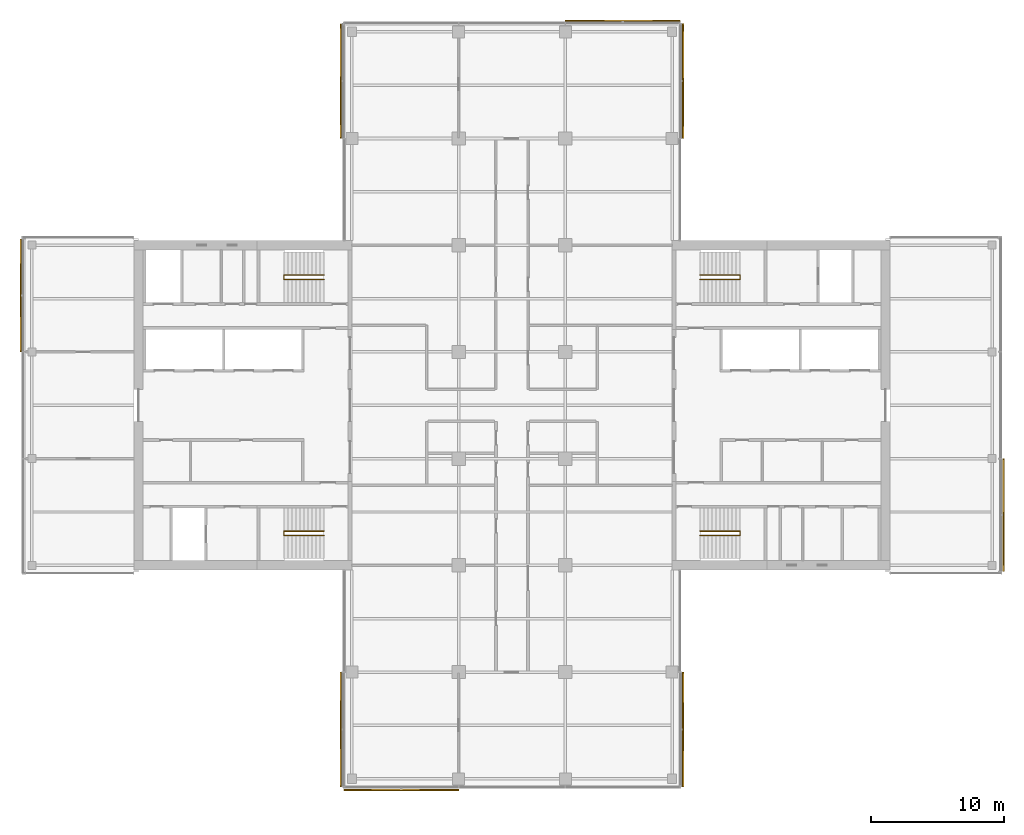
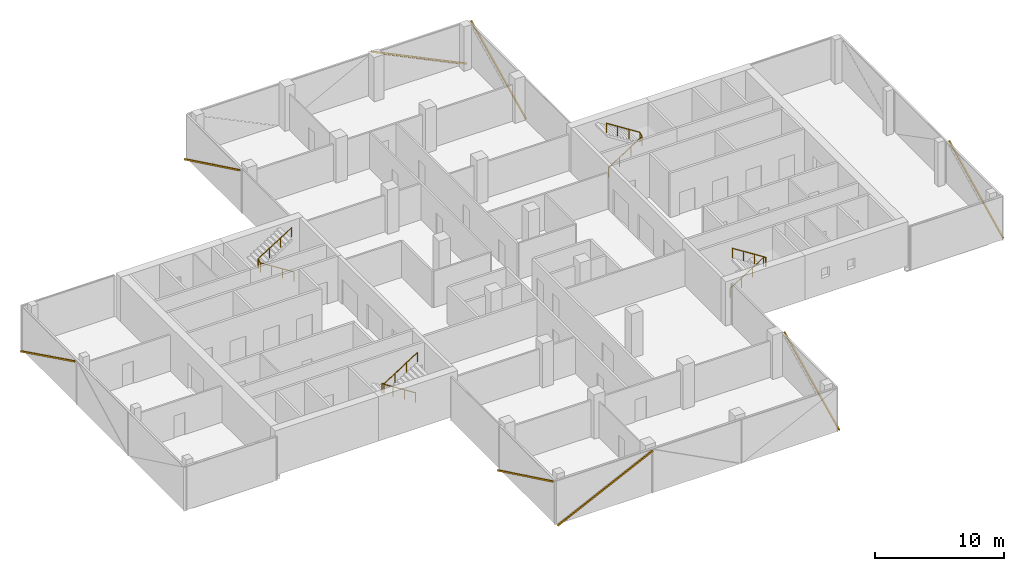
# One storey, part 22 of 22: 8 shading devices, 4 railings, 8 elements without a shape of their own.
"""IFC4 building model written with IfcOpenShell, lengths in metres."""

from ifc_helpers import new_model, si_unit, direction, frame, origin, origin_2d, place, context, subcontext, project, spatial, rectangle, circle, extrude, material, material_profile, profile_set, type_object, element, aggregate, save


model = new_model("IFC4")

# Units and contexts
model_context = context("Model", 3, precision=1e-05, world=origin(), true_north=direction((0.0, 1.0)))
body_context = subcontext(model_context, "Body", "Model", "MODEL_VIEW")
ifc_project = project(units=[si_unit("LENGTHUNIT", "METRE"), si_unit("AREAUNIT", "SQUARE_METRE"), si_unit("VOLUMEUNIT", "CUBIC_METRE"), si_unit("PLANEANGLEUNIT", "RADIAN"), si_unit("MASSUNIT", "GRAM", prefix="KILO")], contexts=[model_context])

# Site, building, storey
site_placement = place(None, origin())
site = spatial("IfcSite", under=ifc_project, at=site_placement, CompositionType="ELEMENT")
building_placement = place(site_placement, origin())
building = spatial("IfcBuilding", under=site, at=building_placement, Name="Crosswind Convention Tower", CompositionType="ELEMENT")
storey_placement = place(building_placement, frame((0.0, 0.0, 154.699951171875)))
storey = spatial("IfcBuildingStorey", under=building, at=storey_placement, Name="L32", CompositionType="ELEMENT", Elevation=154.699951171875)

# Railings
ifc_material_1 = material(Name="Stainless steel", Category="steel")
railing_type = type_object("IfcRailingType", Name="Stair handrail 900", PredefinedType="HANDRAIL", material=ifc_material_1)
railing_1_placement = place(storey_placement, frame((139.10009765625, 109.43994140625, 0.19091796875)))
element("IfcRailing", 1, at=railing_1_placement, inside=storey, type_object=railing_type, Name="Stair ST1 handrail L32", PredefinedType="HANDRAIL", context=body_context, shape_type="SweptSolid", body=[
    extrude(circle(Radius=0.02392578125, at=origin_2d()), frame((0.0, 0.0, 0.8759765625), z_axis=(0.843650179428, 0.0, 0.536893261973), x_axis=(0.0, 1.0, 0.0)), (0.0, 0.0, 1.0), 3.555908203125),
    extrude(circle(Radius=0.02392578125, at=origin_2d()), frame((3.0, 0.0, 2.78515625), z_axis=(0.0, 0.858819504967, 0.512278301208), x_axis=(-1.0, 0.0, 0.0)), (0.0, 0.0, 1.0), 0.372802734375),
    extrude(circle(Radius=0.02392578125, at=origin_2d()), frame((3.0, 0.320068359375, 2.97607421875), z_axis=(-0.843681277094, 0.0, 0.536844393359), x_axis=(0.0, -1.0, 0.0)), (0.0, 0.0, 1.0), 3.555908203125),
    extrude(circle(Radius=0.02099609375, at=origin_2d()), origin(), (0.0, 0.0, 1.0), 0.851806640625),
    extrude(circle(Radius=0.02099609375, at=origin_2d()), frame((1.0, 0.0, 0.636474609375)), (0.0, 0.0, 1.0), 0.851806640625),
    extrude(circle(Radius=0.02099609375, at=origin_2d()), frame((2.0, 0.0, 1.272705078125)), (0.0, 0.0, 1.0), 0.851806640625),
    extrude(circle(Radius=0.02099609375, at=origin_2d()), frame((3.0, 0.0, 1.9091796875)), (0.0, 0.0, 1.0), 0.851806640625),
    extrude(circle(Radius=0.02099609375, at=origin_2d()), frame((3.0, 0.320068359375, 2.10009765625)), (0.0, 0.0, 1.0), 0.851806640625),
    extrude(circle(Radius=0.02099609375, at=origin_2d()), frame((2.0, 0.320068359375, 2.736328125)), (0.0, 0.0, 1.0), 0.851806640625),
    extrude(circle(Radius=0.02099609375, at=origin_2d()), frame((1.0, 0.320068359375, 3.372802734375)), (0.0, 0.0, 1.0), 0.851806640625),
    extrude(circle(Radius=0.02099609375, at=origin_2d()), frame((0.0, 0.320068359375, 4.009033203125)), (0.0, 0.0, 1.0), 0.851806640625),
])
railing_2_placement = place(storey_placement, frame((139.10009765625, 90.56005859375, 0.19091796875)))
element("IfcRailing", 2, at=railing_2_placement, inside=storey, type_object=railing_type, Name="Stair ST2 handrail L32", PredefinedType="HANDRAIL", context=body_context, shape_type="SweptSolid", body=[
    extrude(circle(Radius=0.02392578125, at=origin_2d()), frame((0.0, 0.0, 0.8759765625), z_axis=(0.843650179428, 0.0, 0.536893261973), x_axis=(0.0, 1.0, 0.0)), (0.0, 0.0, 1.0), 3.555908203125),
    extrude(circle(Radius=0.02392578125, at=origin_2d()), frame((3.0, 0.0, 2.78515625), z_axis=(0.0, -0.858819504967, 0.512278301208), x_axis=(1.0, 0.0, 0.0)), (0.0, 0.0, 1.0), 0.372802734375),
    extrude(circle(Radius=0.02392578125, at=origin_2d()), frame((3.0, -0.320068359375, 2.97607421875), z_axis=(-0.843681277094, 0.0, 0.536844393359), x_axis=(0.0, -1.0, 0.0)), (0.0, 0.0, 1.0), 3.555908203125),
    extrude(circle(Radius=0.02099609375, at=origin_2d()), origin(), (0.0, 0.0, 1.0), 0.851806640625),
    extrude(circle(Radius=0.02099609375, at=origin_2d()), frame((1.0, 0.0, 0.636474609375)), (0.0, 0.0, 1.0), 0.851806640625),
    extrude(circle(Radius=0.02099609375, at=origin_2d()), frame((2.0, 0.0, 1.272705078125)), (0.0, 0.0, 1.0), 0.851806640625),
    extrude(circle(Radius=0.02099609375, at=origin_2d()), frame((3.0, 0.0, 1.9091796875)), (0.0, 0.0, 1.0), 0.851806640625),
    extrude(circle(Radius=0.02099609375, at=origin_2d()), frame((3.0, -0.320068359375, 2.10009765625)), (0.0, 0.0, 1.0), 0.851806640625),
    extrude(circle(Radius=0.02099609375, at=origin_2d()), frame((2.0, -0.320068359375, 2.736328125)), (0.0, 0.0, 1.0), 0.851806640625),
    extrude(circle(Radius=0.02099609375, at=origin_2d()), frame((1.0, -0.320068359375, 3.372802734375)), (0.0, 0.0, 1.0), 0.851806640625),
    extrude(circle(Radius=0.02099609375, at=origin_2d()), frame((0.0, -0.320068359375, 4.009033203125)), (0.0, 0.0, 1.0), 0.851806640625),
])
railing_3_placement = place(storey_placement, frame((110.89990234375, 90.56005859375, 0.19091796875)))
element("IfcRailing", 3, at=railing_3_placement, inside=storey, type_object=railing_type, Name="Stair ST3 handrail L32", PredefinedType="HANDRAIL", context=body_context, shape_type="SweptSolid", body=[
    extrude(circle(Radius=0.02392578125, at=origin_2d()), frame((0.0, 0.0, 0.8759765625), z_axis=(-0.843650179428, 0.0, 0.536893261973), x_axis=(0.0, -1.0, 0.0)), (0.0, 0.0, 1.0), 3.555908203125),
    extrude(circle(Radius=0.02392578125, at=origin_2d()), frame((-3.0, 0.0, 2.78515625), z_axis=(0.0, -0.858819504967, 0.512278301208), x_axis=(1.0, 0.0, 0.0)), (0.0, 0.0, 1.0), 0.372802734375),
    extrude(circle(Radius=0.02392578125, at=origin_2d()), frame((-3.0, -0.320068359375, 2.97607421875), z_axis=(0.843681277094, 0.0, 0.536844393359), x_axis=(0.0, 1.0, 0.0)), (0.0, 0.0, 1.0), 3.555908203125),
    extrude(circle(Radius=0.02099609375, at=origin_2d()), origin(), (0.0, 0.0, 1.0), 0.851806640625),
    extrude(circle(Radius=0.02099609375, at=origin_2d()), frame((-1.0, 0.0, 0.636474609375)), (0.0, 0.0, 1.0), 0.851806640625),
    extrude(circle(Radius=0.02099609375, at=origin_2d()), frame((-2.0, 0.0, 1.272705078125)), (0.0, 0.0, 1.0), 0.851806640625),
    extrude(circle(Radius=0.02099609375, at=origin_2d()), frame((-3.0, 0.0, 1.9091796875)), (0.0, 0.0, 1.0), 0.851806640625),
    extrude(circle(Radius=0.02099609375, at=origin_2d()), frame((-3.0, -0.320068359375, 2.10009765625)), (0.0, 0.0, 1.0), 0.851806640625),
    extrude(circle(Radius=0.02099609375, at=origin_2d()), frame((-2.0, -0.320068359375, 2.736328125)), (0.0, 0.0, 1.0), 0.851806640625),
    extrude(circle(Radius=0.02099609375, at=origin_2d()), frame((-1.0, -0.320068359375, 3.372802734375)), (0.0, 0.0, 1.0), 0.851806640625),
    extrude(circle(Radius=0.02099609375, at=origin_2d()), frame((0.0, -0.320068359375, 4.009033203125)), (0.0, 0.0, 1.0), 0.851806640625),
])
railing_4_placement = place(storey_placement, frame((110.89990234375, 109.43994140625, 0.19091796875)))
element("IfcRailing", 4, at=railing_4_placement, inside=storey, type_object=railing_type, Name="Stair ST4 handrail L32", PredefinedType="HANDRAIL", context=body_context, shape_type="SweptSolid", body=[
    extrude(circle(Radius=0.02392578125, at=origin_2d()), frame((0.0, 0.0, 0.8759765625), z_axis=(-0.843650179428, 0.0, 0.536893261973), x_axis=(0.0, -1.0, 0.0)), (0.0, 0.0, 1.0), 3.555908203125),
    extrude(circle(Radius=0.02392578125, at=origin_2d()), frame((-3.0, 0.0, 2.78515625), z_axis=(0.0, 0.858819504967, 0.512278301208), x_axis=(-1.0, 0.0, 0.0)), (0.0, 0.0, 1.0), 0.372802734375),
    extrude(circle(Radius=0.02392578125, at=origin_2d()), frame((-3.0, 0.320068359375, 2.97607421875), z_axis=(0.843681277094, 0.0, 0.536844393359), x_axis=(0.0, 1.0, 0.0)), (0.0, 0.0, 1.0), 3.555908203125),
    extrude(circle(Radius=0.02099609375, at=origin_2d()), origin(), (0.0, 0.0, 1.0), 0.851806640625),
    extrude(circle(Radius=0.02099609375, at=origin_2d()), frame((-1.0, 0.0, 0.636474609375)), (0.0, 0.0, 1.0), 0.851806640625),
    extrude(circle(Radius=0.02099609375, at=origin_2d()), frame((-2.0, 0.0, 1.272705078125)), (0.0, 0.0, 1.0), 0.851806640625),
    extrude(circle(Radius=0.02099609375, at=origin_2d()), frame((-3.0, 0.0, 1.9091796875)), (0.0, 0.0, 1.0), 0.851806640625),
    extrude(circle(Radius=0.02099609375, at=origin_2d()), frame((-3.0, 0.320068359375, 2.10009765625)), (0.0, 0.0, 1.0), 0.851806640625),
    extrude(circle(Radius=0.02099609375, at=origin_2d()), frame((-2.0, 0.320068359375, 2.736328125)), (0.0, 0.0, 1.0), 0.851806640625),
    extrude(circle(Radius=0.02099609375, at=origin_2d()), frame((-1.0, 0.320068359375, 3.372802734375)), (0.0, 0.0, 1.0), 0.851806640625),
    extrude(circle(Radius=0.02099609375, at=origin_2d()), frame((0.0, 0.320068359375, 4.009033203125)), (0.0, 0.0, 1.0), 0.851806640625),
])

# Curtain wall, shading device
ifc_material_2 = material(Name="Aluminium unitised curtain wall", Category="aluminium")
curtain_wall_type = type_object("IfcCurtainWallType", Name="OFFICE UNITISED WALL 220", PredefinedType="USERDEFINED", material=ifc_material_2)
curtain_wall_1_placement = place(storey_placement, origin())
curtain_wall_1 = element("IfcCurtainWall", 5, at=curtain_wall_1_placement, inside=storey, type_object=curtain_wall_type, Name="CW3 L32 E-TIP 1", ObjectType="UNITISED", PredefinedType="USERDEFINED")
ifc_material_3 = material(Name="Extruded terracotta", Category="masonry")
ifc_material_profile = material_profile(ifc_material_3, rectangle(XDim=0.110107421875, YDim=0.1298828125, at=origin_2d()), Name="TC 110X130")
ifc_profile_set = profile_set([ifc_material_profile], Name="Extruded terracotta")
shading_device_type = type_object("IfcShadingDeviceType", Name="TERRACOTTA BAGUETTE 130X110", PredefinedType="USERDEFINED", material=ifc_profile_set)
shading_device_1_placement = place(storey_placement, frame((161.8310546875, 87.570068359375, -0.300048828125), z_axis=(0.0, 0.89728947872, 0.44144262524), x_axis=(-1.0, 0.0, 0.0)))
shading_device_1 = element("IfcShadingDevice", 6, at=shading_device_1_placement, type_object=shading_device_type, Name="CW3 terracotta baguette 1", ObjectType="BAGUETTE", PredefinedType="USERDEFINED", context=body_context, shape_type="SweptSolid", body=[
    extrude(rectangle(XDim=0.110107421875, YDim=0.1298828125, at=origin_2d()), origin(), (0.0, 0.0, 1.0), 9.35595703125),
])
aggregate(curtain_wall_1, [shading_device_1])

curtain_wall_2_placement = place(storey_placement, origin())
curtain_wall_2 = element("IfcCurtainWall", 7, at=curtain_wall_2_placement, inside=storey, type_object=curtain_wall_type, Name="CW3 L32 N-E 1", ObjectType="UNITISED", PredefinedType="USERDEFINED")
shading_device_2_placement = place(storey_placement, frame((137.8310546875, 120.034912109375, -0.300048828125), z_axis=(0.0, 0.900248093769, 0.435377272793), x_axis=(-1.0, 0.0, 0.0)))
shading_device_2 = element("IfcShadingDevice", 8, at=shading_device_2_placement, type_object=shading_device_type, Name="CW3 terracotta baguette 1", ObjectType="BAGUETTE", PredefinedType="USERDEFINED", context=body_context, shape_type="SweptSolid", body=[
    extrude(rectangle(XDim=0.110107421875, YDim=0.1298828125, at=origin_2d()), origin(), (0.0, 0.0, 1.0), 9.486328125),
])
aggregate(curtain_wall_2, [shading_device_2])

curtain_wall_3_placement = place(storey_placement, origin())
curtain_wall_3 = element("IfcCurtainWall", 9, at=curtain_wall_3_placement, inside=storey, type_object=curtain_wall_type, Name="CW3 L32 N-TIP 1", ObjectType="UNITISED", PredefinedType="USERDEFINED")
shading_device_3_placement = place(storey_placement, frame((137.574951171875, 128.8310546875, -0.300048828125), z_axis=(-0.900248093769, 0.0, 0.435377272793), x_axis=(0.0, -1.0, 0.0)))
shading_device_3 = element("IfcShadingDevice", 10, at=shading_device_3_placement, type_object=shading_device_type, Name="CW3 terracotta baguette 1", ObjectType="BAGUETTE", PredefinedType="USERDEFINED", context=body_context, shape_type="SweptSolid", body=[
    extrude(rectangle(XDim=0.110107421875, YDim=0.1298828125, at=origin_2d()), origin(), (0.0, 0.0, 1.0), 9.486328125),
])
aggregate(curtain_wall_3, [shading_device_3])

curtain_wall_4_placement = place(storey_placement, origin())
curtain_wall_4 = element("IfcCurtainWall", 11, at=curtain_wall_4_placement, inside=storey, type_object=curtain_wall_type, Name="CW3 L32 N-W 1", ObjectType="UNITISED", PredefinedType="USERDEFINED")
shading_device_4_placement = place(storey_placement, frame((112.1689453125, 128.574951171875, -0.300048828125), z_axis=(0.0, -0.900248093769, 0.435377272793), x_axis=(1.0, 0.0, 0.0)))
shading_device_4 = element("IfcShadingDevice", 12, at=shading_device_4_placement, type_object=shading_device_type, Name="CW3 terracotta baguette 1", ObjectType="BAGUETTE", PredefinedType="USERDEFINED", context=body_context, shape_type="SweptSolid", body=[
    extrude(rectangle(XDim=0.110107421875, YDim=0.1298828125, at=origin_2d()), origin(), (0.0, 0.0, 1.0), 9.486328125),
])
aggregate(curtain_wall_4, [shading_device_4])

curtain_wall_5_placement = place(storey_placement, origin())
curtain_wall_5 = element("IfcCurtainWall", 13, at=curtain_wall_5_placement, inside=storey, type_object=curtain_wall_type, Name="CW3 L32 W-TIP 1", ObjectType="UNITISED", PredefinedType="USERDEFINED")
shading_device_5_placement = place(storey_placement, frame((88.1689453125, 112.429931640625, -0.300048828125), z_axis=(0.0, -0.89728947872, 0.44144262524), x_axis=(1.0, 0.0, 0.0)))
shading_device_5 = element("IfcShadingDevice", 14, at=shading_device_5_placement, type_object=shading_device_type, Name="CW3 terracotta baguette 1", ObjectType="BAGUETTE", PredefinedType="USERDEFINED", context=body_context, shape_type="SweptSolid", body=[
    extrude(rectangle(XDim=0.110107421875, YDim=0.1298828125, at=origin_2d()), origin(), (0.0, 0.0, 1.0), 9.35595703125),
])
aggregate(curtain_wall_5, [shading_device_5])

curtain_wall_6_placement = place(storey_placement, origin())
curtain_wall_6 = element("IfcCurtainWall", 15, at=curtain_wall_6_placement, inside=storey, type_object=curtain_wall_type, Name="CW3 L32 S-W 1", ObjectType="UNITISED", PredefinedType="USERDEFINED")
shading_device_6_placement = place(storey_placement, frame((112.1689453125, 79.965087890625, -0.300048828125), z_axis=(0.0, -0.900248093769, 0.435377272793), x_axis=(1.0, 0.0, 0.0)))
shading_device_6 = element("IfcShadingDevice", 16, at=shading_device_6_placement, type_object=shading_device_type, Name="CW3 terracotta baguette 1", ObjectType="BAGUETTE", PredefinedType="USERDEFINED", context=body_context, shape_type="SweptSolid", body=[
    extrude(rectangle(XDim=0.110107421875, YDim=0.1298828125, at=origin_2d()), origin(), (0.0, 0.0, 1.0), 9.486328125),
])
aggregate(curtain_wall_6, [shading_device_6])

curtain_wall_7_placement = place(storey_placement, origin())
curtain_wall_7 = element("IfcCurtainWall", 17, at=curtain_wall_7_placement, inside=storey, type_object=curtain_wall_type, Name="CW3 L32 S-TIP 1", ObjectType="UNITISED", PredefinedType="USERDEFINED")
shading_device_7_placement = place(storey_placement, frame((112.425048828125, 71.1689453125, -0.300048828125), z_axis=(0.900248093769, 0.0, 0.435377272793), x_axis=(0.0, 1.0, 0.0)))
shading_device_7 = element("IfcShadingDevice", 18, at=shading_device_7_placement, type_object=shading_device_type, Name="CW3 terracotta baguette 1", ObjectType="BAGUETTE", PredefinedType="USERDEFINED", context=body_context, shape_type="SweptSolid", body=[
    extrude(rectangle(XDim=0.110107421875, YDim=0.1298828125, at=origin_2d()), origin(), (0.0, 0.0, 1.0), 9.486328125),
])
aggregate(curtain_wall_7, [shading_device_7])

curtain_wall_8_placement = place(storey_placement, origin())
curtain_wall_8 = element("IfcCurtainWall", 19, at=curtain_wall_8_placement, inside=storey, type_object=curtain_wall_type, Name="CW3 L32 S-E 1", ObjectType="UNITISED", PredefinedType="USERDEFINED")
shading_device_8_placement = place(storey_placement, frame((137.8310546875, 71.425048828125, -0.300048828125), z_axis=(0.0, 0.900248093769, 0.435377272793), x_axis=(-1.0, 0.0, 0.0)))
shading_device_8 = element("IfcShadingDevice", 20, at=shading_device_8_placement, type_object=shading_device_type, Name="CW3 terracotta baguette 1", ObjectType="BAGUETTE", PredefinedType="USERDEFINED", context=body_context, shape_type="SweptSolid", body=[
    extrude(rectangle(XDim=0.110107421875, YDim=0.1298828125, at=origin_2d()), origin(), (0.0, 0.0, 1.0), 9.486328125),
])
aggregate(curtain_wall_8, [shading_device_8])

save(model, "model.ifc")
